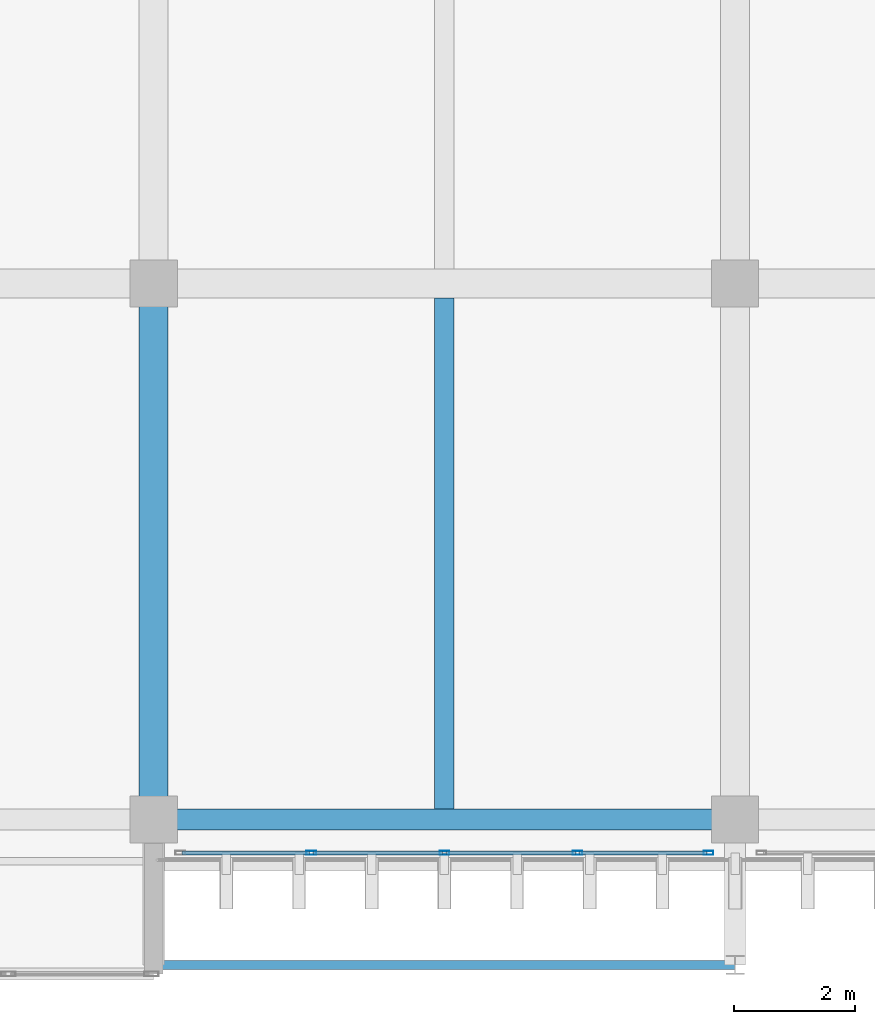
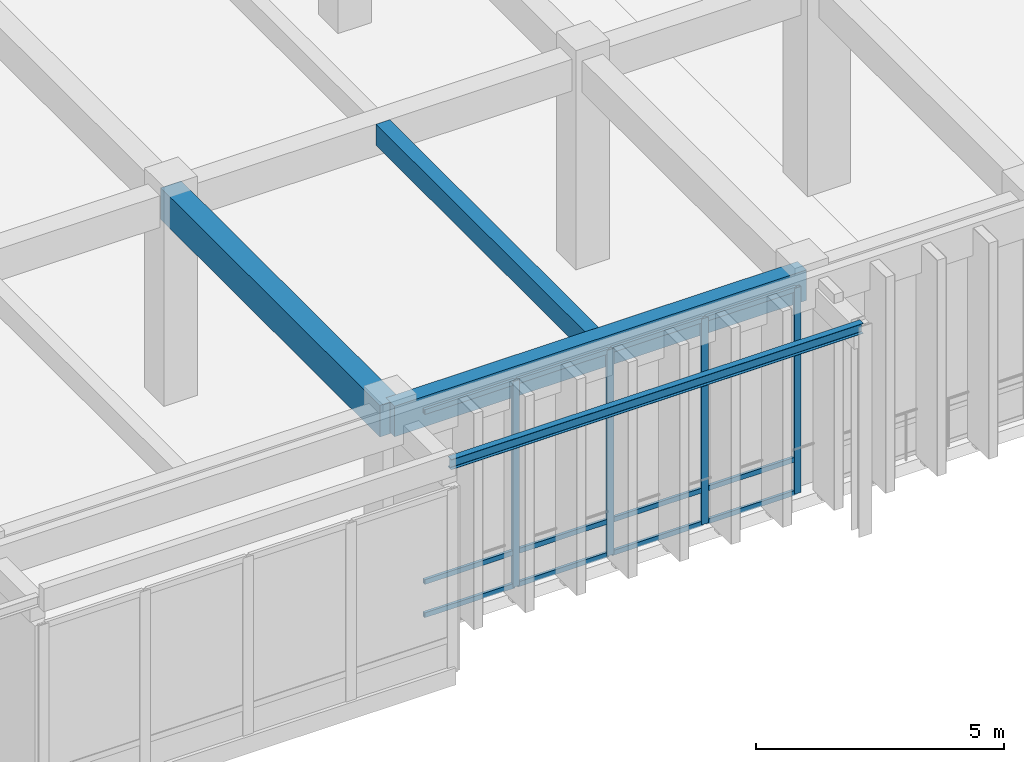
# One storey, part 56 of 134: 16 members, 4 beams, 1 element without a shape of its own.
"""IFC4 building model written with IfcOpenShell, lengths in metres."""

from ifc_helpers import new_model, si_unit, direction, frame, origin, origin_2d, place, context, subcontext, project, spatial, rectangle, hollow_rectangle, i_section, extrude, material, layer, layer_set, material_profile, profile_set, type_object, element, aggregate, save


model = new_model("IFC4")

# Units and contexts
model_context = context("Model", 3, precision=1e-05, world=origin(), true_north=direction((0.0, 1.0)))
body_context = subcontext(model_context, "Body", "Model", "MODEL_VIEW")
ifc_project = project(units=[si_unit("LENGTHUNIT", "METRE"), si_unit("AREAUNIT", "SQUARE_METRE"), si_unit("VOLUMEUNIT", "CUBIC_METRE"), si_unit("PLANEANGLEUNIT", "RADIAN"), si_unit("MASSUNIT", "GRAM", prefix="KILO")], contexts=[model_context])

# Site, building, storey
site_placement = place(None, origin())
site = spatial("IfcSite", under=ifc_project, at=site_placement, CompositionType="ELEMENT")
building_placement = place(site_placement, origin())
building = spatial("IfcBuilding", under=site, at=building_placement, Name="Nakhvara Creek Congress Hotel", CompositionType="ELEMENT")
storey_placement = place(building_placement, frame((0.0, 0.0, 6.0)))
storey = spatial("IfcBuildingStorey", under=building, at=storey_placement, Name="L01", CompositionType="ELEMENT", Elevation=6.0)

# Beams
ifc_material_1 = material(Name="Concrete C40/50", Category="concrete")
ifc_material_profile_1 = material_profile(ifc_material_1, rectangle(XDim=0.320068359375, YDim=0.52001953125, at=origin_2d()), Name="RC-BM 320x520", Category="LoadBearing")
ifc_profile_set_1 = profile_set([ifc_material_profile_1], Name="Concrete C40/50")
beam_type_1 = type_object("IfcBeamType", Name="BM-RC-320X520", PredefinedType="JOIST", material=ifc_profile_set_1)
beam_1_placement = place(storey_placement, frame((139.199951171875, 0.925048828125, 4.840087890625), z_axis=(0.0, 1.0, 0.0), x_axis=(-1.0, 0.0, 0.0)))
element("IfcBeam", 1, at=beam_1_placement, inside=storey, type_object=beam_type_1, Name="Secondary Joist BJ2-L01-1389", PredefinedType="JOIST", context=body_context, shape_type="SweptSolid", body=[
    extrude(rectangle(XDim=0.320068359375, YDim=0.52001953125, at=origin_2d()), origin(), (0.0, 0.0, 1.0), 8.43505859375),
])
ifc_material_profile_2 = material_profile(ifc_material_1, rectangle(XDim=0.47998046875, YDim=0.780029296875, at=origin_2d()), Name="RC-BM 480x780", Category="LoadBearing")
ifc_profile_set_2 = profile_set([ifc_material_profile_2], Name="Concrete C40/50")
beam_type_2 = type_object("IfcBeamType", Name="BM-RC-480X780", PredefinedType="BEAM", material=ifc_profile_set_2)
beam_2_placement = place(storey_placement, frame((134.39990234375, 0.75, 4.7099609375), z_axis=(0.0, 1.0, 0.0), x_axis=(-1.0, 0.0, 0.0)))
element("IfcBeam", 2, at=beam_2_placement, inside=storey, type_object=beam_type_2, Name="Beam B13-L01-1238", PredefinedType="BEAM", context=body_context, shape_type="SweptSolid", body=[
    extrude(rectangle(XDim=0.47998046875, YDim=0.780029296875, at=origin_2d()), origin(), (0.0, 0.0, 1.0), 8.85009765625),
])
ifc_material_profile_3 = material_profile(ifc_material_1, rectangle(XDim=0.35009765625, YDim=0.75, at=origin_2d()), Name="RC-SPANDREL 350x750", Category="LoadBearing")
ifc_profile_set_3 = profile_set([ifc_material_profile_3], Name="Concrete C40/50")
beam_type_3 = type_object("IfcBeamType", Name="BM-SPN-350X750", PredefinedType="SPANDREL", material=ifc_profile_set_3)
beam_3_placement = place(storey_placement, frame((134.39990234375, 0.75, 4.72509765625), z_axis=(1.0, 0.0, 0.0), x_axis=(0.0, 1.0, 0.0)))
element("IfcBeam", 3, at=beam_3_placement, inside=storey, type_object=beam_type_3, Name="Beam SP1-L01-1239", PredefinedType="SPANDREL", context=body_context, shape_type="SweptSolid", body=[
    extrude(rectangle(XDim=0.35009765625, YDim=0.75, at=origin_2d()), origin(), (0.0, 0.0, 1.0), 9.60009765625),
])
ifc_material_2 = material(Name="Steel S355J2", Category="steel")
ifc_material_profile_4 = material_profile(ifc_material_2, i_section(OverallWidth=0.14599609375, OverallDepth=0.25146484375, WebThickness=0.006103515625, FlangeThickness=0.008544921875, FilletRadius=0.007568359375, at=origin_2d()), Name="UB 254x146x31", Category="LoadBearing")
ifc_profile_set_4 = profile_set([ifc_material_profile_4], Name="Steel S355J2")
beam_type_4 = type_object("IfcBeamType", Name="BM-ST-UB254", PredefinedType="SPANDREL", material=ifc_profile_set_4)
beam_4_placement = place(storey_placement, frame((134.39990234375, -1.64990234375, 5.05419921875), z_axis=(1.0, 0.0, 0.0), x_axis=(0.0, 1.0, 0.0)))
element("IfcBeam", 4, at=beam_4_placement, inside=storey, type_object=beam_type_4, Name="Foyer Box Edge Spandrel PBOX-L02-S2", PredefinedType="SPANDREL", context=body_context, shape_type="SweptSolid", body=[
    extrude(i_section(OverallWidth=0.14599609375, OverallDepth=0.25146484375, WebThickness=0.006103515625, FlangeThickness=0.008544921875, FilletRadius=0.007568359375, at=origin_2d()), origin(), (0.0, 0.0, 1.0), 9.60009765625),
])

# Curtain wall, members
ifc_material_3 = material(Name="Bronze-anodised aluminium AW-6063-T6 and double-silver low-E glass", Category="aluminium")
ifc_layer = layer(ifc_material_3, 0.199951171875)
ifc_layer_set = layer_set([ifc_layer], Name="Bronze-anodised aluminium AW-6063-T6 and double-silver low-E glass")
curtain_wall_type = type_object("IfcCurtainWallType", Name="CW-SPA-STICK", PredefinedType="NOTDEFINED", material=ifc_layer_set)
curtain_wall_placement = place(storey_placement, origin())
curtain_wall = element("IfcCurtainWall", 5, at=curtain_wall_placement, inside=storey, type_object=curtain_wall_type, Name="Curtain Wall CW079", PredefinedType="NOTDEFINED")
ifc_material_4 = material(Name="Bronze-anodised aluminium AW-6063-T6", Category="aluminium")
ifc_material_profile_5 = material_profile(ifc_material_4, hollow_rectangle(XDim=0.06494140625, YDim=0.159912109375, WallThickness=0.00390625, at=origin_2d()), Name="ALU-MULL 65x160x4", Category="LoadBearing")
ifc_profile_set_5 = profile_set([ifc_material_profile_5], Name="Bronze-anodised aluminium AW-6063-T6")
member_type_1 = type_object("IfcMemberType", Name="CW-MULL-160", PredefinedType="MULLION", material=ifc_profile_set_5)
member_1_placement = place(storey_placement, frame((143.5625, 0.199951171875, 0.0), z_axis=(0.0, 0.0, 1.0), x_axis=(0.0, -1.0, 0.0)))
member_1 = element("IfcMember", 6, at=member_1_placement, type_object=member_type_1, Name="CW079 mullion 1", PredefinedType="MULLION", context=body_context, shape_type="SweptSolid", body=[
    extrude(hollow_rectangle(XDim=0.06494140625, YDim=0.159912109375, WallThickness=0.00390625, at=origin_2d()), origin(), (0.0, 0.0, 1.0), 5.070068359375),
])
member_2_placement = place(storey_placement, frame((141.3974609375, 0.199951171875, 0.0), z_axis=(0.0, 0.0, 1.0), x_axis=(0.0, -1.0, 0.0)))
member_2 = element("IfcMember", 7, at=member_2_placement, type_object=member_type_1, Name="CW079 mullion 2", PredefinedType="MULLION", context=body_context, shape_type="SweptSolid", body=[
    extrude(hollow_rectangle(XDim=0.06494140625, YDim=0.159912109375, WallThickness=0.00390625, at=origin_2d()), origin(), (0.0, 0.0, 1.0), 5.070068359375),
])
member_3_placement = place(storey_placement, frame((139.199951171875, 0.199951171875, 0.0), z_axis=(0.0, 0.0, 1.0), x_axis=(0.0, -1.0, 0.0)))
member_3 = element("IfcMember", 8, at=member_3_placement, type_object=member_type_1, Name="CW079 mullion 3", PredefinedType="MULLION", context=body_context, shape_type="SweptSolid", body=[
    extrude(hollow_rectangle(XDim=0.06494140625, YDim=0.159912109375, WallThickness=0.00390625, at=origin_2d()), origin(), (0.0, 0.0, 1.0), 5.070068359375),
])
member_4_placement = place(storey_placement, frame((137.00244140625, 0.199951171875, 0.0), z_axis=(0.0, 0.0, 1.0), x_axis=(0.0, -1.0, 0.0)))
member_4 = element("IfcMember", 9, at=member_4_placement, type_object=member_type_1, Name="CW079 mullion 4", PredefinedType="MULLION", context=body_context, shape_type="SweptSolid", body=[
    extrude(hollow_rectangle(XDim=0.06494140625, YDim=0.159912109375, WallThickness=0.00390625, at=origin_2d()), origin(), (0.0, 0.0, 1.0), 5.070068359375),
])
ifc_material_profile_6 = material_profile(ifc_material_4, hollow_rectangle(XDim=0.06494140625, YDim=0.1201171875, WallThickness=0.00390625, at=origin_2d()), Name="ALU-TRAN 65x120x4", Category="LoadBearing")
ifc_profile_set_6 = profile_set([ifc_material_profile_6], Name="Bronze-anodised aluminium AW-6063-T6")
member_type_2 = type_object("IfcMemberType", Name="CW-TRAN-120", PredefinedType="USERDEFINED", material=ifc_profile_set_6)
member_5_placement = place(storey_placement, frame((143.530029296875, 0.199951171875, 0.032470703125), z_axis=(-1.0, 0.0, 0.0), x_axis=(0.0, -1.0, 0.0)))
member_5 = element("IfcMember", 10, at=member_5_placement, type_object=member_type_2, Name="CW079 transom 1.1", ObjectType="TRANSOM", PredefinedType="USERDEFINED", context=body_context, shape_type="SweptSolid", body=[
    extrude(hollow_rectangle(XDim=0.06494140625, YDim=0.1201171875, WallThickness=0.00390625, at=origin_2d()), origin(), (0.0, 0.0, 1.0), 2.10009765625),
])
member_6_placement = place(storey_placement, frame((143.530029296875, 0.199951171875, 0.85009765625), z_axis=(-1.0, 0.0, 0.0), x_axis=(0.0, -1.0, 0.0)))
member_6 = element("IfcMember", 11, at=member_6_placement, type_object=member_type_2, Name="CW079 transom 1.2", ObjectType="TRANSOM", PredefinedType="USERDEFINED", context=body_context, shape_type="SweptSolid", body=[
    extrude(hollow_rectangle(XDim=0.06494140625, YDim=0.1201171875, WallThickness=0.00390625, at=origin_2d()), origin(), (0.0, 0.0, 1.0), 2.10009765625),
])
member_7_placement = place(storey_placement, frame((143.530029296875, 0.199951171875, 5.03759765625), z_axis=(-1.0, 0.0, 0.0), x_axis=(0.0, -1.0, 0.0)))
member_7 = element("IfcMember", 12, at=member_7_placement, type_object=member_type_2, Name="CW079 transom 1.3", ObjectType="TRANSOM", PredefinedType="USERDEFINED", context=body_context, shape_type="SweptSolid", body=[
    extrude(hollow_rectangle(XDim=0.06494140625, YDim=0.1201171875, WallThickness=0.00390625, at=origin_2d()), origin(), (0.0, 0.0, 1.0), 2.10009765625),
])
member_8_placement = place(storey_placement, frame((141.364990234375, 0.199951171875, 0.032470703125), z_axis=(-1.0, 0.0, 0.0), x_axis=(0.0, -1.0, 0.0)))
member_8 = element("IfcMember", 13, at=member_8_placement, type_object=member_type_2, Name="CW079 transom 2.1", ObjectType="TRANSOM", PredefinedType="USERDEFINED", context=body_context, shape_type="SweptSolid", body=[
    extrude(hollow_rectangle(XDim=0.06494140625, YDim=0.1201171875, WallThickness=0.00390625, at=origin_2d()), origin(), (0.0, 0.0, 1.0), 2.132568359375),
])
member_9_placement = place(storey_placement, frame((141.364990234375, 0.199951171875, 0.85009765625), z_axis=(-1.0, 0.0, 0.0), x_axis=(0.0, -1.0, 0.0)))
member_9 = element("IfcMember", 14, at=member_9_placement, type_object=member_type_2, Name="CW079 transom 2.2", ObjectType="TRANSOM", PredefinedType="USERDEFINED", context=body_context, shape_type="SweptSolid", body=[
    extrude(hollow_rectangle(XDim=0.06494140625, YDim=0.1201171875, WallThickness=0.00390625, at=origin_2d()), origin(), (0.0, 0.0, 1.0), 2.132568359375),
])
member_10_placement = place(storey_placement, frame((141.364990234375, 0.199951171875, 5.03759765625), z_axis=(-1.0, 0.0, 0.0), x_axis=(0.0, -1.0, 0.0)))
member_10 = element("IfcMember", 15, at=member_10_placement, type_object=member_type_2, Name="CW079 transom 2.3", ObjectType="TRANSOM", PredefinedType="USERDEFINED", context=body_context, shape_type="SweptSolid", body=[
    extrude(hollow_rectangle(XDim=0.06494140625, YDim=0.1201171875, WallThickness=0.00390625, at=origin_2d()), origin(), (0.0, 0.0, 1.0), 2.132568359375),
])
member_11_placement = place(storey_placement, frame((139.16748046875, 0.199951171875, 0.032470703125), z_axis=(-1.0, 0.0, 0.0), x_axis=(0.0, -1.0, 0.0)))
member_11 = element("IfcMember", 16, at=member_11_placement, type_object=member_type_2, Name="CW079 transom 3.1", ObjectType="TRANSOM", PredefinedType="USERDEFINED", context=body_context, shape_type="SweptSolid", body=[
    extrude(hollow_rectangle(XDim=0.06494140625, YDim=0.1201171875, WallThickness=0.00390625, at=origin_2d()), origin(), (0.0, 0.0, 1.0), 2.132568359375),
])
member_12_placement = place(storey_placement, frame((139.16748046875, 0.199951171875, 0.85009765625), z_axis=(-1.0, 0.0, 0.0), x_axis=(0.0, -1.0, 0.0)))
member_12 = element("IfcMember", 17, at=member_12_placement, type_object=member_type_2, Name="CW079 transom 3.2", ObjectType="TRANSOM", PredefinedType="USERDEFINED", context=body_context, shape_type="SweptSolid", body=[
    extrude(hollow_rectangle(XDim=0.06494140625, YDim=0.1201171875, WallThickness=0.00390625, at=origin_2d()), origin(), (0.0, 0.0, 1.0), 2.132568359375),
])
member_13_placement = place(storey_placement, frame((139.16748046875, 0.199951171875, 5.03759765625), z_axis=(-1.0, 0.0, 0.0), x_axis=(0.0, -1.0, 0.0)))
member_13 = element("IfcMember", 18, at=member_13_placement, type_object=member_type_2, Name="CW079 transom 3.3", ObjectType="TRANSOM", PredefinedType="USERDEFINED", context=body_context, shape_type="SweptSolid", body=[
    extrude(hollow_rectangle(XDim=0.06494140625, YDim=0.1201171875, WallThickness=0.00390625, at=origin_2d()), origin(), (0.0, 0.0, 1.0), 2.132568359375),
])
member_14_placement = place(storey_placement, frame((136.969970703125, 0.199951171875, 0.032470703125), z_axis=(-1.0, 0.0, 0.0), x_axis=(0.0, -1.0, 0.0)))
member_14 = element("IfcMember", 19, at=member_14_placement, type_object=member_type_2, Name="CW079 transom 4.1", ObjectType="TRANSOM", PredefinedType="USERDEFINED", context=body_context, shape_type="SweptSolid", body=[
    extrude(hollow_rectangle(XDim=0.06494140625, YDim=0.1201171875, WallThickness=0.00390625, at=origin_2d()), origin(), (0.0, 0.0, 1.0), 2.099853515625),
])
member_15_placement = place(storey_placement, frame((136.969970703125, 0.199951171875, 0.85009765625), z_axis=(-1.0, 0.0, 0.0), x_axis=(0.0, -1.0, 0.0)))
member_15 = element("IfcMember", 20, at=member_15_placement, type_object=member_type_2, Name="CW079 transom 4.2", ObjectType="TRANSOM", PredefinedType="USERDEFINED", context=body_context, shape_type="SweptSolid", body=[
    extrude(hollow_rectangle(XDim=0.06494140625, YDim=0.1201171875, WallThickness=0.00390625, at=origin_2d()), origin(), (0.0, 0.0, 1.0), 2.099853515625),
])
member_16_placement = place(storey_placement, frame((136.969970703125, 0.199951171875, 5.03759765625), z_axis=(-1.0, 0.0, 0.0), x_axis=(0.0, -1.0, 0.0)))
member_16 = element("IfcMember", 21, at=member_16_placement, type_object=member_type_2, Name="CW079 transom 4.3", ObjectType="TRANSOM", PredefinedType="USERDEFINED", context=body_context, shape_type="SweptSolid", body=[
    extrude(hollow_rectangle(XDim=0.06494140625, YDim=0.1201171875, WallThickness=0.00390625, at=origin_2d()), origin(), (0.0, 0.0, 1.0), 2.099853515625),
])
aggregate(curtain_wall, [member_1, member_2, member_3, member_4, member_5, member_6, member_7, member_8, member_9, member_10, member_11, member_12, member_13, member_14, member_15, member_16])

save(model, "model.ifc")
